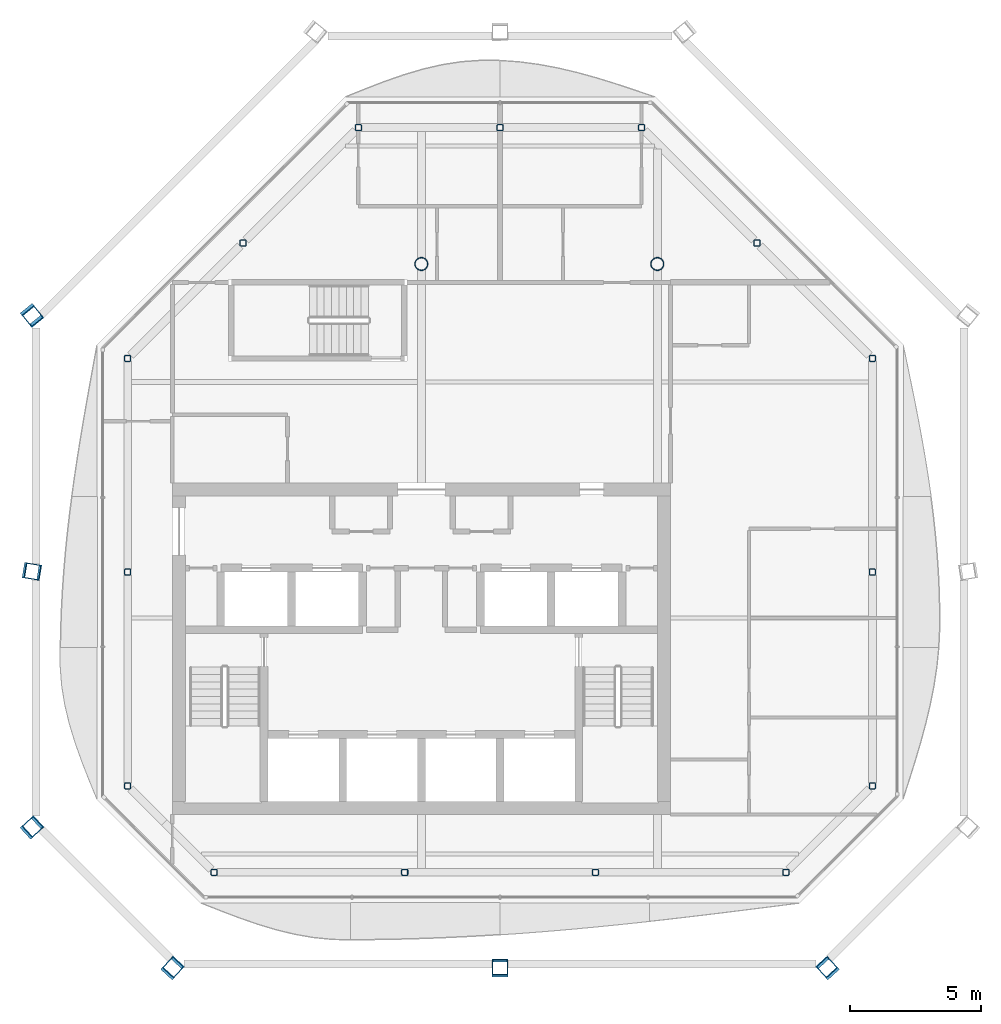
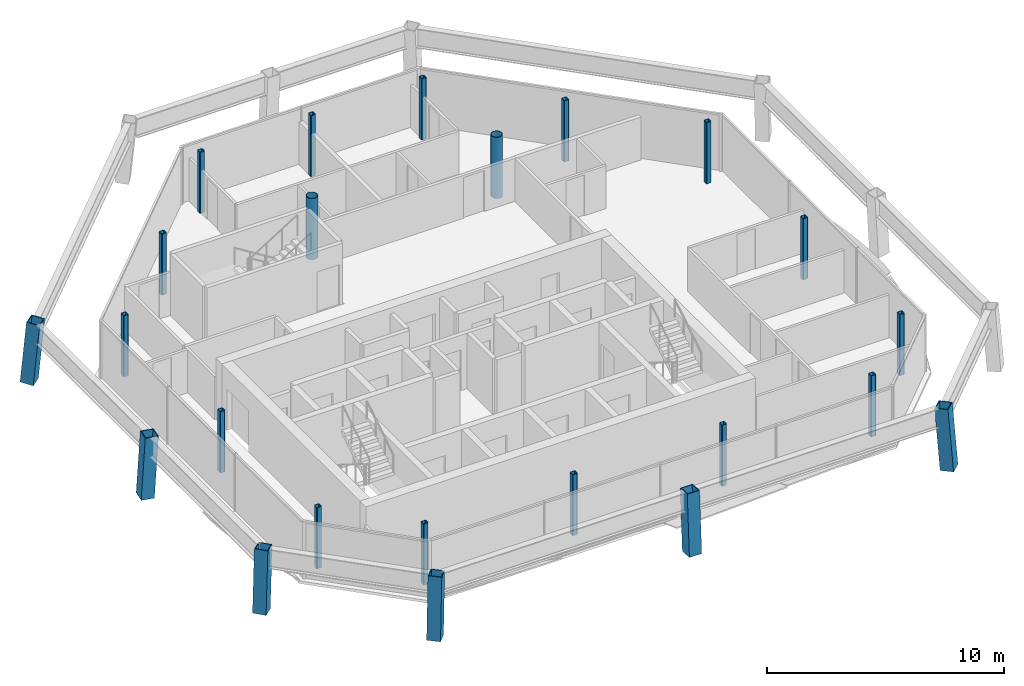
# One storey, part 1 of 14: 23 columns.
"""IFC4 building model written with IfcOpenShell, lengths in metres."""

from ifc_helpers import new_model, si_unit, direction, frame, origin, origin_2d, place, context, subcontext, project, spatial, hollow_rectangle, hollow_circle, extrude, material, material_profile, profile_set, type_object, element, save


model = new_model("IFC4")

# Units and contexts
model_context = context("Model", 3, precision=1e-05, world=origin(), true_north=direction((0.0, 1.0)))
body_context = subcontext(model_context, "Body", "Model", "MODEL_VIEW")
ifc_project = project(units=[si_unit("LENGTHUNIT", "METRE"), si_unit("AREAUNIT", "SQUARE_METRE"), si_unit("VOLUMEUNIT", "CUBIC_METRE"), si_unit("PLANEANGLEUNIT", "RADIAN"), si_unit("MASSUNIT", "GRAM", prefix="KILO")], contexts=[model_context])

# Site, building, storey
site_placement = place(None, origin())
site = spatial("IfcSite", under=ifc_project, at=site_placement, CompositionType="ELEMENT")
building_placement = place(site_placement, origin())
building = spatial("IfcBuilding", under=site, at=building_placement, Name="Tskaro Facet Tower", CompositionType="ELEMENT")
storey_placement = place(building_placement, frame((0.0, 0.0, 294.14990234375)))
storey = spatial("IfcBuildingStorey", under=building, at=storey_placement, Name="L79", CompositionType="ELEMENT", Elevation=294.14990234375)

# Columns
ifc_material_1 = material(Name="Steel S355J2", Category="steel")
ifc_material_profile_1 = material_profile(ifc_material_1, hollow_rectangle(XDim=0.60009765625, YDim=0.60009765625, WallThickness=0.0400390625, at=origin_2d()), Name="BOX 600x600x40")
ifc_profile_set_1 = profile_set([ifc_material_profile_1], Name="Steel S355J2")
column_type_1 = type_object("IfcColumnType", Name="BOX 600x600x40 mega column", PredefinedType="COLUMN", material=ifc_profile_set_1)
column_1_placement = place(storey_placement, frame((-9.52099609375, -17.885009765625, 0.0), z_axis=(0.052847648367, 0.057946982858, 0.996919893091), x_axis=(-0.738869281565, 0.673848784787, 0.0)))
element("IfcColumn", 1, at=column_1_placement, inside=storey, type_object=column_type_1, Name="BOX 600x600x40 MC01/6", PredefinedType="COLUMN", context=body_context, shape_type="SweptSolid", body=[
    extrude(hollow_rectangle(XDim=0.60009765625, YDim=0.60009765625, WallThickness=0.0400390625, at=origin_2d()), origin(), (0.0, 0.0, 1.0), 3.159912109375),
])
column_2_placement = place(storey_placement, frame((3.0, -17.885009765625, 0.0), z_axis=(0.0, 0.058028072061, 0.998314951733), x_axis=(-1.0, 0.0, 0.0)))
element("IfcColumn", 2, at=column_2_placement, inside=storey, type_object=column_type_1, Name="BOX 600x600x40 MC02/6", PredefinedType="COLUMN", context=body_context, shape_type="SweptSolid", body=[
    extrude(hollow_rectangle(XDim=0.60009765625, YDim=0.60009765625, WallThickness=0.0400390625, at=origin_2d()), origin(), (0.0, 0.0, 1.0), 3.155517578125),
])
column_3_placement = place(storey_placement, frame((15.52099609375, -17.885009765625, 0.0), z_axis=(-0.052847648367, 0.057946982858, 0.996919893091), x_axis=(-0.738869281565, -0.673848784787, 0.0)))
element("IfcColumn", 3, at=column_3_placement, inside=storey, type_object=column_type_1, Name="BOX 600x600x40 MC03/6", PredefinedType="COLUMN", context=body_context, shape_type="SweptSolid", body=[
    extrude(hollow_rectangle(XDim=0.60009765625, YDim=0.60009765625, WallThickness=0.0400390625, at=origin_2d()), origin(), (0.0, 0.0, 1.0), 3.159912109375),
])
column_4_placement = place(storey_placement, frame((-14.885009765625, 7.0810546875, 0.0), z_axis=(0.057878432863, -0.07176925675, 0.995740558978), x_axis=(0.778413039475, 0.62775245119, 0.0)))
element("IfcColumn", 4, at=column_4_placement, inside=storey, type_object=column_type_1, Name="BOX 600x600x40 MC10/6", PredefinedType="COLUMN", context=body_context, shape_type="SweptSolid", body=[
    extrude(hollow_rectangle(XDim=0.60009765625, YDim=0.60009765625, WallThickness=0.0400390625, at=origin_2d()), origin(), (0.0, 0.0, 1.0), 3.16357421875),
])
column_5_placement = place(storey_placement, frame((-14.885009765625, -2.719970703125, 0.0), z_axis=(0.058025444561, -0.009516172908, 0.998269748233), x_axis=(0.161838042552, 0.986817332632, 0.0)))
element("IfcColumn", 5, at=column_5_placement, inside=storey, type_object=column_type_1, Name="BOX 600x600x40 MC11/6", PredefinedType="COLUMN", context=body_context, shape_type="SweptSolid", body=[
    extrude(hollow_rectangle(XDim=0.60009765625, YDim=0.60009765625, WallThickness=0.0400390625, at=origin_2d()), origin(), (0.0, 0.0, 1.0), 3.155517578125),
])
column_6_placement = place(storey_placement, frame((-14.885009765625, -12.52099609375, 0.0), z_axis=(0.057946982858, 0.052847648367, 0.996919893091), x_axis=(-0.673848784787, 0.738869281565, 0.0)))
element("IfcColumn", 6, at=column_6_placement, inside=storey, type_object=column_type_1, Name="BOX 600x600x40 MC12/6", PredefinedType="COLUMN", context=body_context, shape_type="SweptSolid", body=[
    extrude(hollow_rectangle(XDim=0.60009765625, YDim=0.60009765625, WallThickness=0.0400390625, at=origin_2d()), origin(), (0.0, 0.0, 1.0), 3.159912109375),
])
ifc_material_2 = material(Name="Steel S355J2H", Category="steel")
ifc_material_profile_2 = material_profile(ifc_material_2, hollow_circle(Radius=0.25390625, WallThickness=0.02490234375, at=origin_2d()), Name="CHS 508x25")
ifc_profile_set_2 = profile_set([ifc_material_profile_2], Name="Steel S355J2H")
column_type_2 = type_object("IfcColumnType", Name="CHS 508x25 interior column", PredefinedType="COLUMN", material=ifc_profile_set_2)
for number, where, z_axis, x_axis, name in (
    (7, (0.0, 9.0, 0.0), (0.0, 0.0, 1.0), (1.0, 0.0, 0.0), "CHS 508x25 C4E/6"),
    (8, (9.0, 9.0, 0.0), (0.0, 0.0, 1.0), (1.0, 0.0, 0.0), "CHS 508x25 C5E/6"),
):
    element("IfcColumn", number, at=place(storey_placement, frame(where, z_axis=z_axis, x_axis=x_axis)), inside=storey, type_object=column_type_2, Name=name, PredefinedType="COLUMN", context=body_context, shape_type="SweptSolid", body=[
        extrude(hollow_circle(Radius=0.25390625, WallThickness=0.02490234375, at=origin_2d()), origin(), (0.0, 0.0, 1.0), 3.150146484375),
    ])
ifc_material_profile_3 = material_profile(ifc_material_2, hollow_rectangle(XDim=0.25, YDim=0.25, WallThickness=0.02001953125, InnerFilletRadius=0.030029296875, OuterFilletRadius=0.050048828125, at=origin_2d()), Name="SHS 250x250x20")
ifc_profile_set_3 = profile_set([ifc_material_profile_3], Name="Steel S355J2H")
column_type_3 = type_object("IfcColumnType", Name="SHS 250x250x20 ring column", PredefinedType="COLUMN", material=ifc_profile_set_3)
for number, where, z_axis, x_axis, name in (
    (9, (-7.903076171875, -14.199951171875, 0.0), (0.0, 0.0, 1.0), (1.0, 0.0, 0.0), "SHS 250x250x20 RS-1/6"),
    (10, (-0.634033203125, -14.199951171875, 0.0), (0.0, 0.0, 1.0), (1.0, 0.0, 0.0), "SHS 250x250x20 RS-2/6"),
    (11, (6.634033203125, -14.199951171875, 0.0), (0.0, 0.0, 1.0), (1.0, 0.0, 0.0), "SHS 250x250x20 RS-3/6"),
    (12, (13.903076171875, -14.199951171875, 0.0), (0.0, 0.0, 1.0), (1.0, 0.0, 0.0), "SHS 250x250x20 RSE-1/6"),
    (13, (17.199951171875, -10.903076171875, 0.0), (0.0, 0.0, 1.0), (1.0, 0.0, 0.0), "SHS 250x250x20 RE-1/6"),
    (14, (17.199951171875, -2.75, 0.0), (0.0, 0.0, 1.0), (1.0, 0.0, 0.0), "SHS 250x250x20 RE-2/6"),
    (15, (17.199951171875, 5.403076171875, 0.0), (0.0, 0.0, 1.0), (1.0, 0.0, 0.0), "SHS 250x250x20 RNE-1/6"),
    (16, (12.802001953125, 9.802001953125, 0.0), (0.0, 0.0, 1.0), (1.0, 0.0, 0.0), "SHS 250x250x20 RNE-2/6"),
    (17, (8.403076171875, 14.199951171875, 0.0), (0.0, 0.0, 1.0), (1.0, 0.0, 0.0), "SHS 250x250x20 RN-1/6"),
    (18, (3.0, 14.199951171875, 0.0), (0.0, 0.0, 1.0), (1.0, 0.0, 0.0), "SHS 250x250x20 RN-2/6"),
    (19, (-2.403076171875, 14.199951171875, 0.0), (0.0, 0.0, 1.0), (1.0, 0.0, 0.0), "SHS 250x250x20 RNW-1/6"),
    (20, (-6.801025390625, 9.801025390625, 0.0), (0.0, 0.0, 1.0), (1.0, 0.0, 0.0), "SHS 250x250x20 RNW-2/6"),
    (21, (-11.199951171875, 5.403076171875, 0.0), (0.0, 0.0, 1.0), (1.0, 0.0, 0.0), "SHS 250x250x20 RW-1/6"),
    (22, (-11.199951171875, -2.75, 0.0), (0.0, 0.0, 1.0), (1.0, 0.0, 0.0), "SHS 250x250x20 RW-2/6"),
    (23, (-11.199951171875, -10.903076171875, 0.0), (0.0, 0.0, 1.0), (1.0, 0.0, 0.0), "SHS 250x250x20 RSW-1/6"),
):
    element("IfcColumn", number, at=place(storey_placement, frame(where, z_axis=z_axis, x_axis=x_axis)), inside=storey, type_object=column_type_3, Name=name, PredefinedType="COLUMN", context=body_context, shape_type="SweptSolid", body=[
        extrude(hollow_rectangle(XDim=0.25, YDim=0.25, WallThickness=0.02001953125, InnerFilletRadius=0.030029296875, OuterFilletRadius=0.050048828125, at=origin_2d()), origin(), (0.0, 0.0, 1.0), 3.150146484375),
    ])

save(model, "model.ifc")
